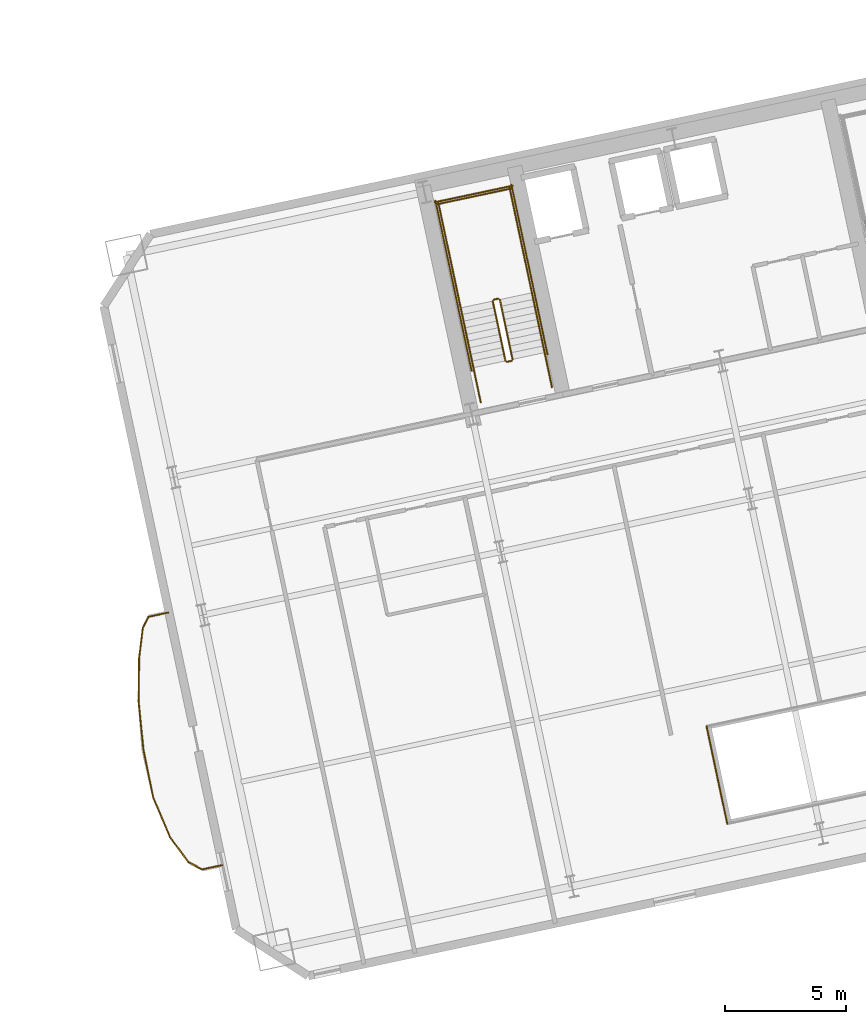
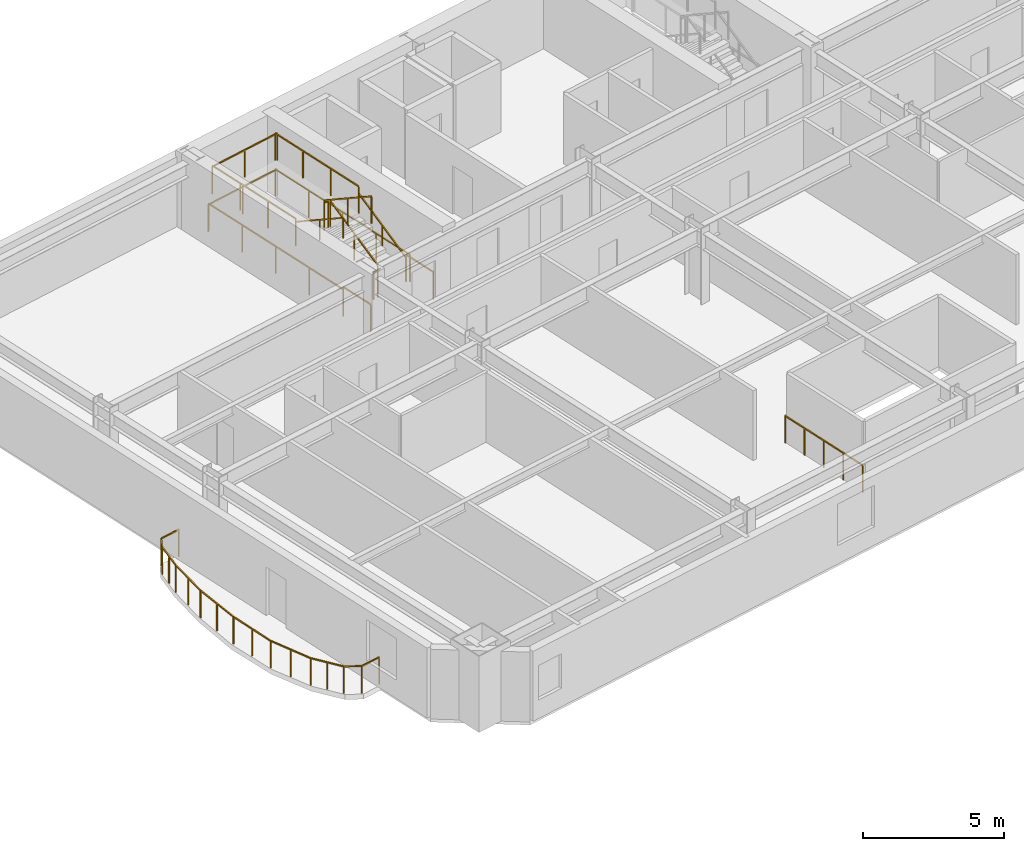
# One storey, part 14 of 16: 25 railings.
"""IFC4 building model written with IfcOpenShell, lengths in metres."""

from ifc_helpers import new_model, si_unit, direction, frame, origin, origin_2d, place, context, subcontext, project, spatial, rectangle, extrude, material, type_object, element, save


model = new_model("IFC4")

# Units and contexts
model_context = context("Model", 3, precision=1e-05, world=origin(), true_north=direction((0.0, 1.0)))
body_context = subcontext(model_context, "Body", "Model", "MODEL_VIEW")
ifc_project = project(units=[si_unit("LENGTHUNIT", "METRE"), si_unit("AREAUNIT", "SQUARE_METRE"), si_unit("VOLUMEUNIT", "CUBIC_METRE"), si_unit("PLANEANGLEUNIT", "RADIAN"), si_unit("MASSUNIT", "GRAM", prefix="KILO")], contexts=[model_context])

# Site, building, storey
site_placement = place(None, origin())
site = spatial("IfcSite", under=ifc_project, at=site_placement, CompositionType="ELEMENT")
building_placement = place(site_placement, origin())
building = spatial("IfcBuilding", under=site, at=building_placement, Name="Haevon Station Towers", CompositionType="ELEMENT")
storey_placement = place(building_placement, frame((0.0, 0.0, 53.699951171875)))
storey = spatial("IfcBuildingStorey", under=building, at=storey_placement, Name="L13", CompositionType="ELEMENT", Elevation=53.699951171875)

# Railings
ifc_material = material(Name="Steel S355", Category="steel")
railing_type_1 = type_object("IfcRailingType", Name="BAL-ATR1200", PredefinedType="BALUSTRADE", material=ifc_material)
railing_1_placement = place(storey_placement, frame((108.432861328125, 24.582275390625, 0.0)))
element("IfcRailing", 1, at=railing_1_placement, inside=storey, type_object=railing_type_1, Name="L13 Atrium Void Balustrade 4", PredefinedType="BALUSTRADE", context=body_context, shape_type="SweptSolid", body=[
    extrude(rectangle(XDim=0.048095703125, YDim=0.048095703125, at=origin_2d()), frame((0.0, 0.0, 1.17578125), z_axis=(0.207872232727, -0.978155986978, 0.0), x_axis=(0.978155986978, 0.207872232727, 0.0)), (0.0, 0.0, 1.0), 4.116455078125),
    extrude(rectangle(XDim=0.0419921875, YDim=0.0419921875, at=origin_2d()), origin(), (0.0, 0.0, 1.0), 1.15185546875),
    extrude(rectangle(XDim=0.0419921875, YDim=0.0419921875, at=origin_2d()), frame((0.2138671875, -1.006591796875, 0.0)), (0.0, 0.0, 1.0), 1.15185546875),
    extrude(rectangle(XDim=0.0419921875, YDim=0.0419921875, at=origin_2d()), frame((0.427734375, -2.01318359375, 0.0)), (0.0, 0.0, 1.0), 1.15185546875),
    extrude(rectangle(XDim=0.0419921875, YDim=0.0419921875, at=origin_2d()), frame((0.641845703125, -3.02001953125, 0.0)), (0.0, 0.0, 1.0), 1.15185546875),
    extrude(rectangle(XDim=0.0419921875, YDim=0.0419921875, at=origin_2d()), frame((0.855712890625, -4.026611328125, 0.0)), (0.0, 0.0, 1.0), 1.15185546875),
])
railing_type_2 = type_object("IfcRailingType", Name="GRD-EXT1200", PredefinedType="GUARDRAIL", material=ifc_material)
railing_2_placement = place(storey_placement, frame((86.25634765625, 29.2626953125, 0.0)))
element("IfcRailing", 2, at=railing_2_placement, inside=storey, type_object=railing_type_2, Name="L13 Perimeter Guardrail 1", PredefinedType="GUARDRAIL", context=body_context, shape_type="SweptSolid", body=[
    extrude(rectangle(XDim=0.048095703125, YDim=0.048095703125, at=origin_2d()), frame((0.0, 0.0, 1.17578125), z_axis=(-0.977691431104, -0.210046341426, 0.0), x_axis=(0.210046341426, -0.977691431104, 0.0)), (0.0, 0.0, 1.0), 0.838134765625),
    extrude(rectangle(XDim=0.0419921875, YDim=0.0419921875, at=origin_2d()), origin(), (0.0, 0.0, 1.0), 1.15185546875),
    extrude(rectangle(XDim=0.0419921875, YDim=0.0419921875, at=origin_2d()), frame((-0.8193359375, -0.176025390625, 0.0)), (0.0, 0.0, 1.0), 1.15185546875),
])
railing_3_placement = place(storey_placement, frame((85.43701171875, 29.086669921875, 0.0)))
element("IfcRailing", 3, at=railing_3_placement, inside=storey, type_object=railing_type_2, Name="L13 Perimeter Guardrail 2", PredefinedType="GUARDRAIL", context=body_context, shape_type="SweptSolid", body=[
    extrude(rectangle(XDim=0.048095703125, YDim=0.048095703125, at=origin_2d()), frame((0.0, 0.0, 1.17578125), z_axis=(-0.450358242908, -0.892847945086, 0.0), x_axis=(0.892847945086, -0.450358242908, 0.0)), (0.0, 0.0, 1.0), 0.527587890625),
    extrude(rectangle(XDim=0.0419921875, YDim=0.0419921875, at=origin_2d()), origin(), (0.0, 0.0, 1.0), 1.15185546875),
    extrude(rectangle(XDim=0.0419921875, YDim=0.0419921875, at=origin_2d()), frame((-0.237548828125, -0.470947265625, 0.0)), (0.0, 0.0, 1.0), 1.15185546875),
])
railing_4_placement = place(storey_placement, frame((85.199462890625, 28.61572265625, 0.0)))
element("IfcRailing", 4, at=railing_4_placement, inside=storey, type_object=railing_type_2, Name="L13 Perimeter Guardrail 3", PredefinedType="GUARDRAIL", context=body_context, shape_type="SweptSolid", body=[
    extrude(rectangle(XDim=0.048095703125, YDim=0.048095703125, at=origin_2d()), frame((0.0, 0.0, 1.17578125), z_axis=(-0.120561181508, -0.992705898801, 0.0), x_axis=(0.992705898801, -0.120561181508, 0.0)), (0.0, 0.0, 1.0), 1.2373046875),
    extrude(rectangle(XDim=0.0419921875, YDim=0.0419921875, at=origin_2d()), origin(), (0.0, 0.0, 1.0), 1.15185546875),
    extrude(rectangle(XDim=0.0419921875, YDim=0.0419921875, at=origin_2d()), frame((-0.07470703125, -0.6142578125, 0.0)), (0.0, 0.0, 1.0), 1.15185546875),
    extrude(rectangle(XDim=0.0419921875, YDim=0.0419921875, at=origin_2d()), frame((-0.149169921875, -1.228271484375, 0.0)), (0.0, 0.0, 1.0), 1.15185546875),
])
railing_5_placement = place(storey_placement, frame((85.05029296875, 27.387451171875, 0.0)))
element("IfcRailing", 5, at=railing_5_placement, inside=storey, type_object=railing_type_2, Name="L13 Perimeter Guardrail 4", PredefinedType="GUARDRAIL", context=body_context, shape_type="SweptSolid", body=[
    extrude(rectangle(XDim=0.048095703125, YDim=0.048095703125, at=origin_2d()), frame((0.0, 0.0, 1.17578125), z_axis=(-0.011720606893, -0.999931311328, 0.0), x_axis=(0.999931311328, -0.011720606893, 0.0)), (0.0, 0.0, 1.0), 1.79150390625),
    extrude(rectangle(XDim=0.0419921875, YDim=0.0419921875, at=origin_2d()), origin(), (0.0, 0.0, 1.0), 1.15185546875),
    extrude(rectangle(XDim=0.0419921875, YDim=0.0419921875, at=origin_2d()), frame((-0.010498046875, -0.8955078125, 0.0)), (0.0, 0.0, 1.0), 1.15185546875),
    extrude(rectangle(XDim=0.0419921875, YDim=0.0419921875, at=origin_2d()), frame((-0.02099609375, -1.791259765625, 0.0)), (0.0, 0.0, 1.0), 1.15185546875),
])
railing_6_placement = place(storey_placement, frame((85.029296875, 25.59619140625, 0.0)))
element("IfcRailing", 6, at=railing_6_placement, inside=storey, type_object=railing_type_2, Name="L13 Perimeter Guardrail 5", PredefinedType="GUARDRAIL", context=body_context, shape_type="SweptSolid", body=[
    extrude(rectangle(XDim=0.048095703125, YDim=0.048095703125, at=origin_2d()), frame((0.0, 0.0, 1.17578125), z_axis=(0.100083047105, -0.994979087058, 0.0), x_axis=(0.994979087058, 0.100083047105, 0.0)), (0.0, 0.0, 1.0), 2.002685546875),
    extrude(rectangle(XDim=0.0419921875, YDim=0.0419921875, at=origin_2d()), origin(), (0.0, 0.0, 1.0), 1.15185546875),
    extrude(rectangle(XDim=0.0419921875, YDim=0.0419921875, at=origin_2d()), frame((0.10009765625, -0.996337890625, 0.0)), (0.0, 0.0, 1.0), 1.15185546875),
    extrude(rectangle(XDim=0.0419921875, YDim=0.0419921875, at=origin_2d()), frame((0.200439453125, -1.99267578125, 0.0)), (0.0, 0.0, 1.0), 1.15185546875),
])
railing_7_placement = place(storey_placement, frame((85.229736328125, 23.603515625, 0.0)))
element("IfcRailing", 7, at=railing_7_placement, inside=storey, type_object=railing_type_2, Name="L13 Perimeter Guardrail 6", PredefinedType="GUARDRAIL", context=body_context, shape_type="SweptSolid", body=[
    extrude(rectangle(XDim=0.048095703125, YDim=0.048095703125, at=origin_2d()), frame((0.0, 0.0, 1.17578125), z_axis=(0.199576180302, -0.979882313472, 0.0), x_axis=(0.979882313472, 0.199576180302, 0.0)), (0.0, 0.0, 1.0), 1.993896484375),
    extrude(rectangle(XDim=0.0419921875, YDim=0.0419921875, at=origin_2d()), origin(), (0.0, 0.0, 1.0), 1.15185546875),
    extrude(rectangle(XDim=0.0419921875, YDim=0.0419921875, at=origin_2d()), frame((0.198974609375, -0.97705078125, 0.0)), (0.0, 0.0, 1.0), 1.15185546875),
    extrude(rectangle(XDim=0.0419921875, YDim=0.0419921875, at=origin_2d()), frame((0.39794921875, -1.953857421875, 0.0)), (0.0, 0.0, 1.0), 1.15185546875),
])
railing_8_placement = place(storey_placement, frame((85.627685546875, 21.649658203125, 0.0)))
element("IfcRailing", 8, at=railing_8_placement, inside=storey, type_object=railing_type_2, Name="L13 Perimeter Guardrail 7", PredefinedType="GUARDRAIL", context=body_context, shape_type="SweptSolid", body=[
    extrude(rectangle(XDim=0.048095703125, YDim=0.048095703125, at=origin_2d()), frame((0.0, 0.0, 1.17578125), z_axis=(0.389339801327, -0.92109419665, 0.0), x_axis=(0.92109419665, 0.389339801327, 0.0)), (0.0, 0.0, 1.0), 1.77783203125),
    extrude(rectangle(XDim=0.0419921875, YDim=0.0419921875, at=origin_2d()), origin(), (0.0, 0.0, 1.0), 1.15185546875),
    extrude(rectangle(XDim=0.0419921875, YDim=0.0419921875, at=origin_2d()), frame((0.34619140625, -0.81884765625, 0.0)), (0.0, 0.0, 1.0), 1.15185546875),
    extrude(rectangle(XDim=0.0419921875, YDim=0.0419921875, at=origin_2d()), frame((0.692138671875, -1.637451171875, 0.0)), (0.0, 0.0, 1.0), 1.15185546875),
])
railing_9_placement = place(storey_placement, frame((86.31982421875, 20.01220703125, 0.0)))
element("IfcRailing", 9, at=railing_9_placement, inside=storey, type_object=railing_type_2, Name="L13 Perimeter Guardrail 8", PredefinedType="GUARDRAIL", context=body_context, shape_type="SweptSolid", body=[
    extrude(rectangle(XDim=0.048095703125, YDim=0.048095703125, at=origin_2d()), frame((0.0, 0.0, 1.17578125), z_axis=(0.594513927818, -0.804085312408, 0.0), x_axis=(0.804085312408, 0.594513927818, 0.0)), (0.0, 0.0, 1.0), 1.284912109375),
    extrude(rectangle(XDim=0.0419921875, YDim=0.0419921875, at=origin_2d()), origin(), (0.0, 0.0, 1.0), 1.15185546875),
    extrude(rectangle(XDim=0.0419921875, YDim=0.0419921875, at=origin_2d()), frame((0.3818359375, -0.5166015625, 0.0)), (0.0, 0.0, 1.0), 1.15185546875),
    extrude(rectangle(XDim=0.0419921875, YDim=0.0419921875, at=origin_2d()), frame((0.763916015625, -1.033203125, 0.0)), (0.0, 0.0, 1.0), 1.15185546875),
])
railing_10_placement = place(storey_placement, frame((87.083740234375, 18.97900390625, 0.0)))
element("IfcRailing", 10, at=railing_10_placement, inside=storey, type_object=railing_type_2, Name="L13 Perimeter Guardrail 9", PredefinedType="GUARDRAIL", context=body_context, shape_type="SweptSolid", body=[
    extrude(rectangle(XDim=0.048095703125, YDim=0.048095703125, at=origin_2d()), frame((0.0, 0.0, 1.17578125), z_axis=(0.883258812796, -0.468885774596, 0.0), x_axis=(0.468885774596, 0.883258812796, 0.0)), (0.0, 0.0, 1.0), 0.640380859375),
    extrude(rectangle(XDim=0.0419921875, YDim=0.0419921875, at=origin_2d()), origin(), (0.0, 0.0, 1.0), 1.15185546875),
    extrude(rectangle(XDim=0.0419921875, YDim=0.0419921875, at=origin_2d()), frame((0.565673828125, -0.30029296875, 0.0)), (0.0, 0.0, 1.0), 1.15185546875),
])
railing_11_placement = place(storey_placement, frame((87.6494140625, 18.6787109375, 0.0)))
element("IfcRailing", 11, at=railing_11_placement, inside=storey, type_object=railing_type_2, Name="L13 Perimeter Guardrail 10", PredefinedType="GUARDRAIL", context=body_context, shape_type="SweptSolid", body=[
    extrude(rectangle(XDim=0.048095703125, YDim=0.048095703125, at=origin_2d()), frame((0.0, 0.0, 1.17578125), z_axis=(0.978605406054, 0.205746103834, 0.0), x_axis=(-0.205746103834, 0.978605406054, 0.0)), (0.0, 0.0, 1.0), 0.837646484375),
    extrude(rectangle(XDim=0.0419921875, YDim=0.0419921875, at=origin_2d()), origin(), (0.0, 0.0, 1.0), 1.15185546875),
    extrude(rectangle(XDim=0.0419921875, YDim=0.0419921875, at=origin_2d()), frame((0.81982421875, 0.17236328125, 0.0)), (0.0, 0.0, 1.0), 1.15185546875),
])
railing_type_3 = type_object("IfcRailingType", Name="GRD-STR1200", PredefinedType="GUARDRAIL", material=ifc_material)
railing_12_placement = place(storey_placement, frame((100.44140625, 39.69287109375, 0.1650390625)))
element("IfcRailing", 12, at=railing_12_placement, inside=storey, type_object=railing_type_3, Name="L13 ST3 Stair Guard 1", PredefinedType="GUARDRAIL", context=body_context, shape_type="SweptSolid", body=[
    extrude(rectangle(XDim=0.048095703125, YDim=0.048095703125, at=origin_2d()), frame((0.0, 0.0, 1.17578125), z_axis=(-0.179121265225, 0.842687928106, 0.507732831485), x_axis=(-0.978147030254, -0.207914374695, 0.0)), (0.0, 0.0, 1.0), 2.925048828125),
    extrude(rectangle(XDim=0.0419921875, YDim=0.0419921875, at=origin_2d()), origin(), (0.0, 0.0, 1.0), 1.15185546875),
    extrude(rectangle(XDim=0.0419921875, YDim=0.0419921875, at=origin_2d()), frame((-0.261962890625, 1.232421875, 0.74267578125)), (0.0, 0.0, 1.0), 1.15185546875),
    extrude(rectangle(XDim=0.0419921875, YDim=0.0419921875, at=origin_2d()), frame((-0.52392578125, 2.46484375, 1.485107421875)), (0.0, 0.0, 1.0), 1.15185546875),
])
railing_13_placement = place(storey_placement, frame((99.858154296875, 42.1962890625, 1.650146484375)))
element("IfcRailing", 13, at=railing_13_placement, inside=storey, type_object=railing_type_3, Name="L13 ST3 Stair Guard 2", PredefinedType="GUARDRAIL", context=body_context, shape_type="SweptSolid", body=[
    extrude(rectangle(XDim=0.048095703125, YDim=0.048095703125, at=origin_2d()), frame((0.0, 0.0, 1.17578125), z_axis=(-0.977962931203, -0.208778603291, 0.0), x_axis=(0.208778603291, -0.977962931203, 0.0)), (0.0, 0.0, 1.0), 0.199951171875),
    extrude(rectangle(XDim=0.0419921875, YDim=0.0419921875, at=origin_2d()), origin(), (0.0, 0.0, 1.0), 1.15185546875),
    extrude(rectangle(XDim=0.0419921875, YDim=0.0419921875, at=origin_2d()), frame((-0.195556640625, -0.041748046875, 0.0)), (0.0, 0.0, 1.0), 1.15185546875),
])
railing_14_placement = place(storey_placement, frame((101.238037109375, 42.4384765625, 1.650146484375)))
element("IfcRailing", 14, at=railing_14_placement, inside=storey, type_object=railing_type_3, Name="L13 ST3 Stair Guard 3", PredefinedType="GUARDRAIL", context=body_context, shape_type="SweptSolid", body=[
    extrude(rectangle(XDim=0.048095703125, YDim=0.048095703125, at=origin_2d()), frame((0.0, 0.0, 1.17578125), z_axis=(-0.20794048909, 0.978141479029, 0.0), x_axis=(-0.978141479029, -0.20794048909, 0.0)), (0.0, 0.0, 1.0), 4.429931640625),
    extrude(rectangle(XDim=0.0419921875, YDim=0.0419921875, at=origin_2d()), origin(), (0.0, 0.0, 1.0), 1.15185546875),
    extrude(rectangle(XDim=0.0419921875, YDim=0.0419921875, at=origin_2d()), frame((-0.30712890625, 1.4443359375, 0.0)), (0.0, 0.0, 1.0), 1.15185546875),
    extrude(rectangle(XDim=0.0419921875, YDim=0.0419921875, at=origin_2d()), frame((-0.614013671875, 2.888671875, 0.0)), (0.0, 0.0, 1.0), 1.15185546875),
    extrude(rectangle(XDim=0.0419921875, YDim=0.0419921875, at=origin_2d()), frame((-0.921142578125, 4.3330078125, 0.0)), (0.0, 0.0, 1.0), 1.15185546875),
])
railing_15_placement = place(storey_placement, frame((98.303466796875, 41.814697265625, 1.650146484375)))
element("IfcRailing", 15, at=railing_15_placement, inside=storey, type_object=railing_type_3, Name="L13 ST3 Stair Guard 4", PredefinedType="GUARDRAIL", context=body_context, shape_type="SweptSolid", body=[
    extrude(rectangle(XDim=0.048095703125, YDim=0.048095703125, at=origin_2d()), frame((0.0, 0.0, 1.17578125), z_axis=(-0.207876551949, 0.978155069071, 0.0), x_axis=(-0.978155069071, -0.207876551949, 0.0)), (0.0, 0.0, 1.0), 4.429931640625),
    extrude(rectangle(XDim=0.0419921875, YDim=0.0419921875, at=origin_2d()), origin(), (0.0, 0.0, 1.0), 1.15185546875),
    extrude(rectangle(XDim=0.0419921875, YDim=0.0419921875, at=origin_2d()), frame((-0.306884765625, 1.4443359375, 0.0)), (0.0, 0.0, 1.0), 1.15185546875),
    extrude(rectangle(XDim=0.0419921875, YDim=0.0419921875, at=origin_2d()), frame((-0.614013671875, 2.888916015625, 0.0)), (0.0, 0.0, 1.0), 1.15185546875),
    extrude(rectangle(XDim=0.0419921875, YDim=0.0419921875, at=origin_2d()), frame((-0.9208984375, 4.333251953125, 0.0)), (0.0, 0.0, 1.0), 1.15185546875),
])
railing_16_placement = place(storey_placement, frame((100.376220703125, 46.733154296875, 1.650146484375)))
element("IfcRailing", 16, at=railing_16_placement, inside=storey, type_object=railing_type_3, Name="L13 ST3 Stair Guard 5", PredefinedType="GUARDRAIL", context=body_context, shape_type="SweptSolid", body=[
    extrude(rectangle(XDim=0.048095703125, YDim=0.048095703125, at=origin_2d()), frame((0.0, 0.0, 1.17578125), z_axis=(-0.978146839882, -0.207915270313, 0.0), x_axis=(0.207915270313, -0.978146839882, 0.0)), (0.0, 0.0, 1.0), 3.099853515625),
    extrude(rectangle(XDim=0.0419921875, YDim=0.0419921875, at=origin_2d()), origin(), (0.0, 0.0, 1.0), 1.15185546875),
    extrude(rectangle(XDim=0.0419921875, YDim=0.0419921875, at=origin_2d()), frame((-1.51611328125, -0.322265625, 0.0)), (0.0, 0.0, 1.0), 1.15185546875),
    extrude(rectangle(XDim=0.0419921875, YDim=0.0419921875, at=origin_2d()), frame((-3.0322265625, -0.64453125, 0.0)), (0.0, 0.0, 1.0), 1.15185546875),
])
railing_17_placement = place(storey_placement, frame((99.6240234375, 42.09521484375, 1.81494140625)))
element("IfcRailing", 17, at=railing_17_placement, inside=storey, type_object=railing_type_3, Name="L13 ST3 Stair Guard 6", PredefinedType="GUARDRAIL", context=body_context, shape_type="SweptSolid", body=[
    extrude(rectangle(XDim=0.048095703125, YDim=0.048095703125, at=origin_2d()), frame((0.0, 0.0, 1.17578125), z_axis=(0.179121265225, -0.842687928106, 0.507732831485), x_axis=(0.978147030254, 0.207914374695, 0.0)), (0.0, 0.0, 1.0), 2.925048828125),
    extrude(rectangle(XDim=0.0419921875, YDim=0.0419921875, at=origin_2d()), origin(), (0.0, 0.0, 1.0), 1.15185546875),
    extrude(rectangle(XDim=0.0419921875, YDim=0.0419921875, at=origin_2d()), frame((0.261962890625, -1.232421875, 0.74267578125)), (0.0, 0.0, 1.0), 1.15185546875),
    extrude(rectangle(XDim=0.0419921875, YDim=0.0419921875, at=origin_2d()), frame((0.52392578125, -2.46484375, 1.485107421875)), (0.0, 0.0, 1.0), 1.15185546875),
])
railing_18_placement = place(storey_placement, frame((100.40283203125, 39.633544921875, 0.0)))
element("IfcRailing", 18, at=railing_18_placement, inside=storey, type_object=railing_type_3, Name="L13 ST3 Stair Guard 7", PredefinedType="GUARDRAIL", context=body_context, shape_type="SweptSolid", body=[
    extrude(rectangle(XDim=0.048095703125, YDim=0.048095703125, at=origin_2d()), frame((0.0, 0.0, 1.17578125), z_axis=(-0.977962931203, -0.208778603291, 0.0), x_axis=(0.208778603291, -0.977962931203, 0.0)), (0.0, 0.0, 1.0), 0.199951171875),
    extrude(rectangle(XDim=0.0419921875, YDim=0.0419921875, at=origin_2d()), origin(), (0.0, 0.0, 1.0), 1.15185546875),
    extrude(rectangle(XDim=0.0419921875, YDim=0.0419921875, at=origin_2d()), frame((-0.195556640625, -0.041748046875, 0.0)), (0.0, 0.0, 1.0), 1.15185546875),
])
for number, where, name in (
    (19, (102.0634765625, 38.55517578125, 0.0), "L13 ST3 Stair Guard 8"),
    (20, (99.12890625, 37.931396484375, 0.0), "L13 ST3 Stair Guard 9"),
):
    element("IfcRailing", number, at=place(storey_placement, frame(where)), inside=storey, type_object=railing_type_3, Name=name, PredefinedType="GUARDRAIL", context=body_context, shape_type="SweptSolid", body=[
        extrude(rectangle(XDim=0.048095703125, YDim=0.048095703125, at=origin_2d()), frame((0.0, 0.0, 1.17578125), z_axis=(-0.207953405961, 0.978138732977, 0.0), x_axis=(-0.978138732977, -0.207953405961, 0.0)), (0.0, 0.0, 1.0), 1.449951171875),
        extrude(rectangle(XDim=0.0419921875, YDim=0.0419921875, at=origin_2d()), origin(), (0.0, 0.0, 1.0), 1.15185546875),
        extrude(rectangle(XDim=0.0419921875, YDim=0.0419921875, at=origin_2d()), frame((-0.301513671875, 1.418212890625, 0.0)), (0.0, 0.0, 1.0), 1.15185546875),
    ])
railing_19_placement = place(storey_placement, frame((101.88037109375, 39.896484375, 0.0)))
element("IfcRailing", 21, at=railing_19_placement, inside=storey, type_object=railing_type_3, Name="L13 ST3 Stair Guard 10", PredefinedType="GUARDRAIL", context=body_context, shape_type="SweptSolid", body=[
    extrude(rectangle(XDim=0.048095703125, YDim=0.048095703125, at=origin_2d()), frame((0.0, 0.0, 1.17578125), z_axis=(-0.207882442208, 0.978153817261, 0.0), x_axis=(-0.978153817261, -0.207882442208, 0.0)), (0.0, 0.0, 1.0), 7.14990234375),
    extrude(rectangle(XDim=0.0419921875, YDim=0.0419921875, at=origin_2d()), origin(), (0.0, 0.0, 1.0), 1.15185546875),
    extrude(rectangle(XDim=0.0419921875, YDim=0.0419921875, at=origin_2d()), frame((-0.37158203125, 1.74853515625, 0.0)), (0.0, 0.0, 1.0), 1.15185546875),
    extrude(rectangle(XDim=0.0419921875, YDim=0.0419921875, at=origin_2d()), frame((-0.7431640625, 3.496826171875, 0.0)), (0.0, 0.0, 1.0), 1.15185546875),
    extrude(rectangle(XDim=0.0419921875, YDim=0.0419921875, at=origin_2d()), frame((-1.11474609375, 5.2451171875, 0.0)), (0.0, 0.0, 1.0), 1.15185546875),
    extrude(rectangle(XDim=0.0419921875, YDim=0.0419921875, at=origin_2d()), frame((-1.486328125, 6.99365234375, 0.0)), (0.0, 0.0, 1.0), 1.15185546875),
])
railing_20_placement = place(storey_placement, frame((98.75048828125, 39.231201171875, 0.0)))
element("IfcRailing", 22, at=railing_20_placement, inside=storey, type_object=railing_type_3, Name="L13 ST3 Stair Guard 11", PredefinedType="GUARDRAIL", context=body_context, shape_type="SweptSolid", body=[
    extrude(rectangle(XDim=0.048095703125, YDim=0.048095703125, at=origin_2d()), frame((0.0, 0.0, 1.17578125), z_axis=(-0.207915112487, 0.978146873429, 0.0), x_axis=(-0.978146873429, -0.207915112487, 0.0)), (0.0, 0.0, 1.0), 7.14990234375),
    extrude(rectangle(XDim=0.0419921875, YDim=0.0419921875, at=origin_2d()), origin(), (0.0, 0.0, 1.0), 1.15185546875),
    extrude(rectangle(XDim=0.0419921875, YDim=0.0419921875, at=origin_2d()), frame((-0.37158203125, 1.74853515625, 0.0)), (0.0, 0.0, 1.0), 1.15185546875),
    extrude(rectangle(XDim=0.0419921875, YDim=0.0419921875, at=origin_2d()), frame((-0.7431640625, 3.496826171875, 0.0)), (0.0, 0.0, 1.0), 1.15185546875),
    extrude(rectangle(XDim=0.0419921875, YDim=0.0419921875, at=origin_2d()), frame((-1.114990234375, 5.2451171875, 0.0)), (0.0, 0.0, 1.0), 1.15185546875),
    extrude(rectangle(XDim=0.0419921875, YDim=0.0419921875, at=origin_2d()), frame((-1.486572265625, 6.99365234375, 0.0)), (0.0, 0.0, 1.0), 1.15185546875),
])
railing_21_placement = place(storey_placement, frame((100.453125, 46.8515625, 0.0)))
element("IfcRailing", 23, at=railing_21_placement, inside=storey, type_object=railing_type_3, Name="L13 ST3 Stair Guard 12", PredefinedType="GUARDRAIL", context=body_context, shape_type="SweptSolid", body=[
    extrude(rectangle(XDim=0.048095703125, YDim=0.048095703125, at=origin_2d()), frame((0.0, 0.0, 1.17578125), z_axis=(-0.978150764849, -0.207896804268, 0.0), x_axis=(0.207896804268, -0.978150764849, 0.0)), (0.0, 0.0, 1.0), 3.2998046875),
    extrude(rectangle(XDim=0.0419921875, YDim=0.0419921875, at=origin_2d()), origin(), (0.0, 0.0, 1.0), 1.15185546875),
    extrude(rectangle(XDim=0.0419921875, YDim=0.0419921875, at=origin_2d()), frame((-1.61376953125, -0.343017578125, 0.0)), (0.0, 0.0, 1.0), 1.15185546875),
    extrude(rectangle(XDim=0.0419921875, YDim=0.0419921875, at=origin_2d()), frame((-3.227783203125, -0.68603515625, 0.0)), (0.0, 0.0, 1.0), 1.15185546875),
])
railing_type_4 = type_object("IfcRailingType", Name="HND-STR900", PredefinedType="HANDRAIL", material=ifc_material)
railing_22_placement = place(storey_placement, frame((101.761962890625, 39.973388671875, 0.1650390625)))
element("IfcRailing", 24, at=railing_22_placement, inside=storey, type_object=railing_type_4, Name="L13 ST3 Stair Handrail 1", PredefinedType="HANDRAIL", context=body_context, shape_type="SweptSolid", body=[
    extrude(rectangle(XDim=0.048095703125, YDim=0.048095703125, at=origin_2d()), frame((0.0, 0.0, 0.8759765625), z_axis=(-0.179108667068, 0.842712120868, 0.50769712105), x_axis=(-0.978151217824, -0.207894673017, 0.0)), (0.0, 0.0, 1.0), 2.92529296875),
    extrude(rectangle(XDim=0.0419921875, YDim=0.0419921875, at=origin_2d()), origin(), (0.0, 0.0, 1.0), 0.851806640625),
    extrude(rectangle(XDim=0.0419921875, YDim=0.0419921875, at=origin_2d()), frame((-0.261962890625, 1.232421875, 0.74267578125)), (0.0, 0.0, 1.0), 0.851806640625),
    extrude(rectangle(XDim=0.0419921875, YDim=0.0419921875, at=origin_2d()), frame((-0.52392578125, 2.465087890625, 1.485107421875)), (0.0, 0.0, 1.0), 0.851806640625),
])
railing_23_placement = place(storey_placement, frame((98.303466796875, 41.814697265625, 1.81494140625)))
element("IfcRailing", 25, at=railing_23_placement, inside=storey, type_object=railing_type_4, Name="L13 ST3 Stair Handrail 2", PredefinedType="HANDRAIL", context=body_context, shape_type="SweptSolid", body=[
    extrude(rectangle(XDim=0.048095703125, YDim=0.048095703125, at=origin_2d()), frame((0.0, 0.0, 0.8759765625), z_axis=(0.179108667068, -0.842712120868, 0.50769712105), x_axis=(0.978151217824, 0.207894673017, 0.0)), (0.0, 0.0, 1.0), 2.92529296875),
    extrude(rectangle(XDim=0.0419921875, YDim=0.0419921875, at=origin_2d()), origin(), (0.0, 0.0, 1.0), 0.851806640625),
    extrude(rectangle(XDim=0.0419921875, YDim=0.0419921875, at=origin_2d()), frame((0.261962890625, -1.232421875, 0.74267578125)), (0.0, 0.0, 1.0), 0.851806640625),
    extrude(rectangle(XDim=0.0419921875, YDim=0.0419921875, at=origin_2d()), frame((0.52392578125, -2.465087890625, 1.485107421875)), (0.0, 0.0, 1.0), 0.851806640625),
])

save(model, "model.ifc")
